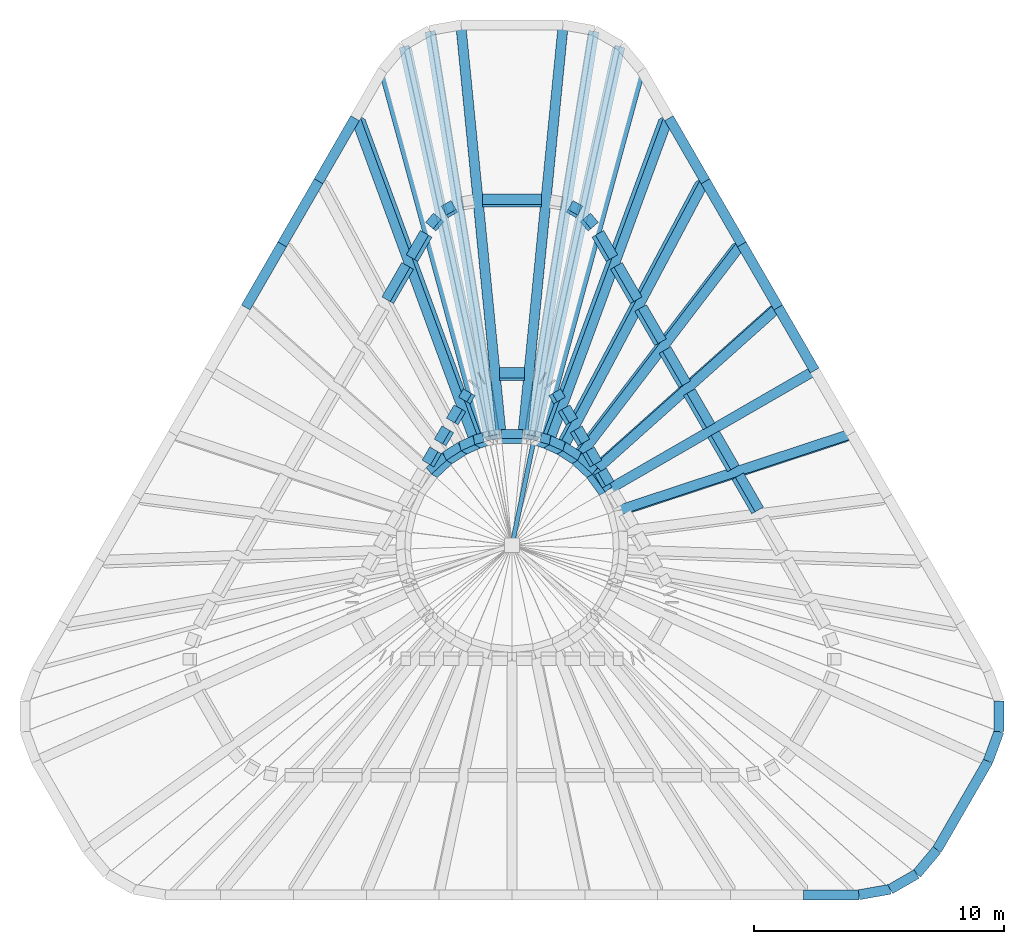
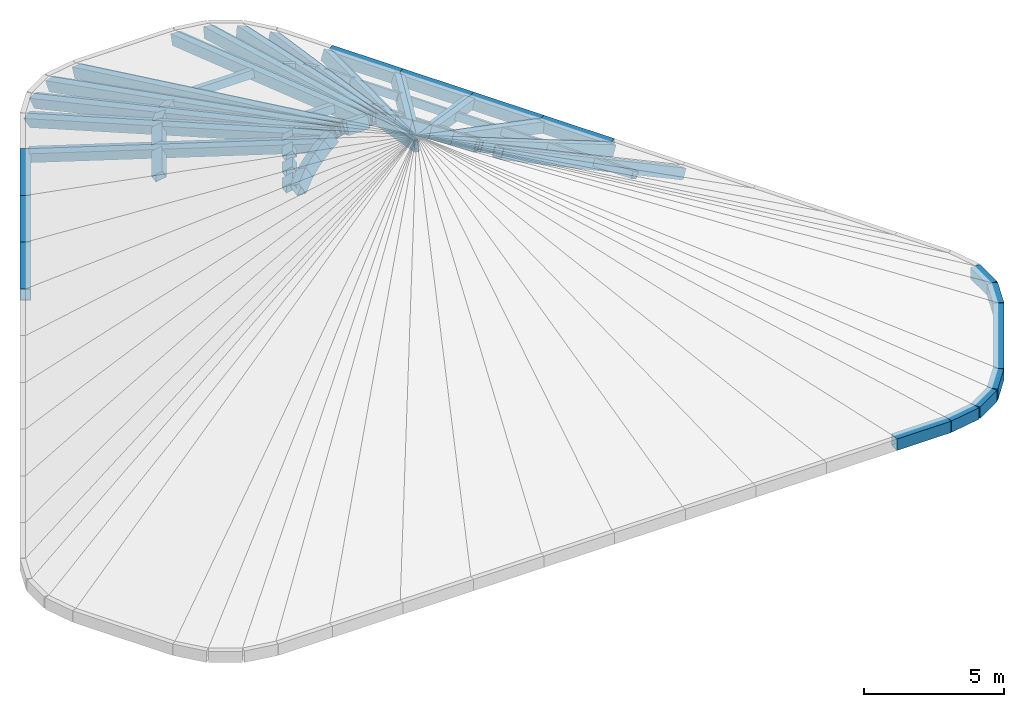
# One storey, part 3 of 5: 64 members.
"""IFC4 building model written with IfcOpenShell, lengths in metres."""

import ifcopenshell
import ifcopenshell.guid

model = None  # the IFC model being written
_history = None  # IfcOwnerHistory: only IFC2X3 demands one
_inside = {}  # id of a spatial element -> (the spatial element, [elements in it])
_under = {}  # id of a project, library or spatial element -> (it, [spatial elements below it])
_declared = {}  # id of a project -> (the project, [libraries it declares])
_typed = {}  # id of a type object -> (the type object, [elements of that type])
_made_of = {}  # id of a material, layer set ... -> (it, [elements and type objects made of it])


def new_model(schema):
    """Start an empty IFC model of exactly this schema.

    Asked for "IFC4X3", IfcOpenShell would pick the latest addendum, in which some entities
    have other attributes; the version numbers below select the first issue.
    IFC2X3 requires an IfcOwnerHistory on every rooted entity: one is made here for all.
    """
    global model, _history
    if schema == "IFC4X3":
        model = ifcopenshell.file(schema_version=(4, 3, 0, 0))
    else:
        model = ifcopenshell.file(schema=schema)
    _inside.clear()
    _under.clear()
    _declared.clear()
    _typed.clear()
    _made_of.clear()
    _history = None
    if model.schema == "IFC2X3":
        org = make("IfcOrganization", Name="unknown")
        user = make(
            "IfcPersonAndOrganization",
            ThePerson=make("IfcPerson", FamilyName="unknown"),
            TheOrganization=org,
        )
        app = make(
            "IfcApplication",
            ApplicationDeveloper=org,
            Version="unknown",
            ApplicationFullName="unknown",
            ApplicationIdentifier="unknown",
        )
        _history = make(
            "IfcOwnerHistory",
            OwningUser=user,
            OwningApplication=app,
            ChangeAction="ADDED",
            CreationDate=0,
        )
    return model


def make(cls, **values):
    """One entity of the class cls with the attributes given. An attribute that is None is left unset."""
    return model.create_entity(
        cls, **{name: value for name, value in values.items() if value is not None}
    )


def rooted(cls, **values):
    """An entity with a GlobalId (a new one), such as an element, a storey or a relation."""
    return make(cls, GlobalId=ifcopenshell.guid.new(), OwnerHistory=_history, **values)


def si_unit(unit_type, name, prefix=None):
    """IfcSIUnit, for example si_unit("LENGTHUNIT", "METRE", prefix="MILLI")."""
    return make("IfcSIUnit", UnitType=unit_type, Prefix=prefix, Name=name)


def assignment(units):
    """IfcUnitAssignment: the units of a project."""
    return None if units is None else make("IfcUnitAssignment", Units=units)


def point(xyz):
    """IfcCartesianPoint."""
    return None if xyz is None else make("IfcCartesianPoint", Coordinates=xyz)


def direction(xyz):
    """IfcDirection."""
    return None if xyz is None else make("IfcDirection", DirectionRatios=xyz)


def frame(location, z_axis=None, x_axis=None):
    """IfcAxis2Placement3D, a coordinate frame: its origin and axes. An axis left out is left unset."""
    return make(
        "IfcAxis2Placement3D",
        Location=point(location),
        Axis=direction(z_axis),
        RefDirection=direction(x_axis),
    )


def frame_2d(location, x_axis=None):
    """IfcAxis2Placement2D, a coordinate frame in the plane: its origin and x axis."""
    return make(
        "IfcAxis2Placement2D", Location=point(location), RefDirection=direction(x_axis)
    )


def origin():
    """The frame at (0, 0, 0) with its axes left unset."""
    return frame((0.0, 0.0, 0.0))


def origin_2d():
    """The frame at (0, 0) in the plane with its x axis left unset."""
    return frame_2d((0.0, 0.0))


def place(relative_to, where):
    """IfcLocalPlacement: puts the frame where relative to a parent placement (None: the world)."""
    return make(
        "IfcLocalPlacement", PlacementRelTo=relative_to, RelativePlacement=where
    )


def context(
    kind, dimensions, precision=None, world=None, true_north=None, identifier=None
):
    """IfcGeometricRepresentationContext, for example the 3D "Model" context."""
    return make(
        "IfcGeometricRepresentationContext",
        ContextIdentifier=identifier,
        ContextType=kind,
        CoordinateSpaceDimension=dimensions,
        Precision=precision,
        WorldCoordinateSystem=world,
        TrueNorth=true_north,
    )


def subcontext(parent, identifier, kind, view, scale=None):
    """IfcGeometricRepresentationSubContext, for example "Body" below "Model"."""
    return make(
        "IfcGeometricRepresentationSubContext",
        ContextIdentifier=identifier,
        ContextType=kind,
        ParentContext=parent,
        TargetScale=scale,
        TargetView=view,
    )


def project(units=None, contexts=None):
    """IfcProject with its units and contexts."""
    return rooted(
        "IfcProject",
        Name="project",
        RepresentationContexts=contexts,
        UnitsInContext=assignment(units),
    )


def spatial(cls, under=None, at=None, **own):
    """A site, building, storey or space (cls), placed at a placement, below another one or the project."""
    s = rooted(cls, ObjectPlacement=at, **own)
    if under is not None:
        _under.setdefault(under.id(), (under, []))[1].append(s)
    return s


def profile(cls, at=None, kind="AREA", **sizes):
    """A parametric profile (cls). Its sizes go by their IFC names, for example OverallWidth=200.0."""
    return make(cls, ProfileType=kind, Position=at, **sizes)


def hollow_rectangle(**sizes):
    """IfcRectangleHollowProfileDef."""
    return profile("IfcRectangleHollowProfileDef", **sizes)


def extrude(swept, where, along, depth):
    """IfcExtrudedAreaSolid: the profile swept, set in the frame where, extruded along a direction by depth."""
    return make(
        "IfcExtrudedAreaSolid",
        SweptArea=swept,
        Position=where,
        ExtrudedDirection=direction(along),
        Depth=depth,
    )


def shape(context_of_items, identifier, shape_type, items):
    """IfcShapeRepresentation: the items that make up one representation, for example the "Body"."""
    return make(
        "IfcShapeRepresentation",
        ContextOfItems=context_of_items,
        RepresentationIdentifier=identifier,
        RepresentationType=shape_type,
        Items=items,
    )


def material(Name=None, Category=None):
    """IfcMaterial."""
    return make("IfcMaterial", Name=Name, Category=Category)


def material_profile(
    of_material, cross_section, Name=None, Category=None, Priority=None
):
    """IfcMaterialProfile: a cross section and its material."""
    return make(
        "IfcMaterialProfile",
        Name=Name,
        Material=of_material,
        Profile=cross_section,
        Priority=Priority,
        Category=Category,
    )


def profile_set(profiles, Name=None, composite=None):
    """IfcMaterialProfileSet."""
    return make(
        "IfcMaterialProfileSet",
        Name=Name,
        MaterialProfiles=profiles,
        CompositeProfile=composite,
    )


def made_of(thing, what):
    """Note that an element or type object is made of a material, layer set ...; save() writes the relation."""
    if what is not None:
        _made_of.setdefault(what.id(), (what, []))[1].append(thing)
    return thing


def type_object(cls, material=None, **own):
    """A type object (cls), such as IfcWallType, which elements share."""
    return made_of(rooted(cls, **own), material)


def element(
    cls,
    number,
    at=None,
    inside=None,
    cuts=None,
    type_object=None,
    material=None,
    context=None,
    identifier="Body",
    shape_type=None,
    held_by="IfcProductDefinitionShape",
    body=None,
    shapes=None,
    **own,
):
    """One element of the class cls, such as IfcWall. Its Tag is "e" and its number.

    at: its placement. inside: the storey or other place that contains it. cuts: it is an
    opening in that element (IfcRelVoidsElement). A single representation is given by context,
    identifier, shape_type and body (its items); several are given by shapes. held_by: the class
    of the entity that holds the representations. save() writes the other relations.
    """
    e = rooted(cls, Tag="e%d" % number, ObjectPlacement=at, **own)
    if body is not None:
        shapes = [shape(context, identifier, shape_type, body)]
    if shapes is not None:
        e.Representation = make(held_by, Representations=shapes)
    if inside is not None:
        _inside.setdefault(inside.id(), (inside, []))[1].append(e)
    if cuts is not None:
        rooted(
            "IfcRelVoidsElement", RelatingBuildingElement=cuts, RelatedOpeningElement=e
        )
    if type_object is not None:
        _typed.setdefault(type_object.id(), (type_object, []))[1].append(e)
    return made_of(e, material)


def aggregate(whole, parts):
    """IfcRelAggregates: a whole, such as a stair, and the parts it consists of."""
    return rooted("IfcRelAggregates", RelatingObject=whole, RelatedObjects=parts)


def save(model, path):
    """Write the relations noted so far, then the file.

    IfcRelAggregates (storeys below a building ...), IfcRelContainedInSpatialStructure (elements
    in a storey), IfcRelDefinesByType, IfcRelAssociatesMaterial and IfcRelDeclares: one each for
    every whole, place, type object, material and project.
    """
    for whole, parts in _under.values():
        aggregate(whole, parts)
    for where, things in _inside.values():
        rooted(
            "IfcRelContainedInSpatialStructure",
            RelatedElements=things,
            RelatingStructure=where,
        )
    for kind, things in _typed.values():
        rooted("IfcRelDefinesByType", RelatedObjects=things, RelatingType=kind)
    for what, things in _made_of.values():
        rooted("IfcRelAssociatesMaterial", RelatedObjects=things, RelatingMaterial=what)
    for by, libraries in _declared.values():
        rooted("IfcRelDeclares", RelatingContext=by, RelatedDefinitions=libraries)
    model.write(path)


model = new_model("IFC4")

# Units and contexts
model_context = context("Model", 3, precision=1e-05, world=origin(), true_north=direction((0.0, 1.0)))
body_context = subcontext(model_context, "Body", "Model", "MODEL_VIEW")
ifc_project = project(units=[si_unit("LENGTHUNIT", "METRE"), si_unit("AREAUNIT", "SQUARE_METRE"), si_unit("VOLUMEUNIT", "CUBIC_METRE"), si_unit("PLANEANGLEUNIT", "RADIAN"), si_unit("MASSUNIT", "GRAM", prefix="KILO")], contexts=[model_context])

# Site, building, storey
site_placement = place(None, origin())
site = spatial("IfcSite", under=ifc_project, at=site_placement, CompositionType="ELEMENT")
building_placement = place(site_placement, origin())
building = spatial("IfcBuilding", under=site, at=building_placement, Name="Apuvela Tower Hotel", CompositionType="ELEMENT")
storey_placement = place(building_placement, frame((0.0, 0.0, 371.300048828125)))
storey = spatial("IfcBuildingStorey", under=building, at=storey_placement, Name="R-7 ROOF", CompositionType="ELEMENT", Elevation=371.300048828125)

# Members
ifc_material_1 = material(Name="Steel S355, dark grey paint system", Category="steel")
ifc_material_profile_1 = material_profile(ifc_material_1, hollow_rectangle(XDim=0.39990234375, YDim=0.449951171875, WallThickness=0.01611328125, at=origin_2d()), Name="HSS 450x400x16")
ifc_profile_set_1 = profile_set([ifc_material_profile_1], Name="Steel S355, dark grey paint system")
member_type_1 = type_object("IfcMemberType", Name="ENV-CROWN-HIP-450x400", PredefinedType="RAFTER", material=ifc_profile_set_1)
member_1_placement = place(storey_placement, frame((4.260498046875, 19.871826171875, -0.033447265625), z_axis=(-0.195639553025, -0.898283695291, 0.39346101213), x_axis=(0.938121866788, -0.28833235843, -0.191811923863)))
element("IfcMember", 1, at=member_1_placement, inside=storey, type_object=member_type_1, Name="Crown frame hip 1", PredefinedType="RAFTER", context=body_context, shape_type="SweptSolid", body=[
    extrude(hollow_rectangle(XDim=0.39990234375, YDim=0.449951171875, WallThickness=0.01611328125, at=origin_2d()), origin(), (0.0, 0.0, 1.0), 17.343505859375),
])
member_2_placement = place(storey_placement, frame((3.251708984375, 20.470703125, -0.037841796875), z_axis=(-0.145702079564, -0.910496853122, 0.386996620743), x_axis=(0.979881380583, -0.186740763926, -0.070429873456)))
element("IfcMember", 2, at=member_2_placement, inside=storey, type_object=member_type_1, Name="Crown frame hip 2", PredefinedType="RAFTER", context=body_context, shape_type="SweptSolid", body=[
    extrude(hollow_rectangle(XDim=0.39990234375, YDim=0.449951171875, WallThickness=0.01611328125, at=origin_2d()), origin(), (0.0, 0.0, 1.0), 17.729736328125),
])
for number, where, z_axis, x_axis, name in (
    (3, (2.03515625, 20.68896484375, -0.031982421875), (-0.090252973718, -0.918040894644, 0.386076827194), (0.995351011578, -0.096237178384, 0.003843077963), "Crown frame hip 3"),
    (4, (-2.03515625, 20.68896484375, -0.031982421875), (0.090252973718, -0.918040894644, 0.386076827194), (0.995351011578, 0.096237178384, -0.003843077963), "Crown frame hip 4"),
):
    element("IfcMember", number, at=place(storey_placement, frame(where, z_axis=z_axis, x_axis=x_axis)), inside=storey, type_object=member_type_1, Name=name, PredefinedType="RAFTER", context=body_context, shape_type="SweptSolid", body=[
        extrude(hollow_rectangle(XDim=0.39990234375, YDim=0.449951171875, WallThickness=0.01611328125, at=origin_2d()), origin(), (0.0, 0.0, 1.0), 17.785888671875),
    ])
member_3_placement = place(storey_placement, frame((-3.251708984375, 20.470703125, -0.037841796875), z_axis=(0.145702079564, -0.910496853122, 0.386996620743), x_axis=(0.979881380583, 0.186740763926, 0.070429873456)))
element("IfcMember", 5, at=member_3_placement, inside=storey, type_object=member_type_1, Name="Crown frame hip 5", PredefinedType="RAFTER", context=body_context, shape_type="SweptSolid", body=[
    extrude(hollow_rectangle(XDim=0.39990234375, YDim=0.449951171875, WallThickness=0.01611328125, at=origin_2d()), origin(), (0.0, 0.0, 1.0), 17.729736328125),
])
member_4_placement = place(storey_placement, frame((-4.260498046875, 19.871826171875, -0.033447265625), z_axis=(0.195639553025, -0.898283695291, 0.39346101213), x_axis=(0.938121866788, 0.28833235843, 0.191811923863)))
element("IfcMember", 6, at=member_4_placement, inside=storey, type_object=member_type_1, Name="Crown frame hip 6", PredefinedType="RAFTER", context=body_context, shape_type="SweptSolid", body=[
    extrude(hollow_rectangle(XDim=0.39990234375, YDim=0.449951171875, WallThickness=0.01611328125, at=origin_2d()), origin(), (0.0, 0.0, 1.0), 17.343505859375),
])
member_5_placement = place(storey_placement, frame((-5.03955078125, 18.9169921875, -0.014892578125), z_axis=(0.239715918486, -0.881860900496, 0.406026637798), x_axis=(0.878785686732, 0.374855391858, 0.295328887835)))
element("IfcMember", 7, at=member_5_placement, inside=storey, type_object=member_type_1, Name="Crown frame hip 7", PredefinedType="RAFTER", context=body_context, shape_type="SweptSolid", body=[
    extrude(hollow_rectangle(XDim=0.39990234375, YDim=0.449951171875, WallThickness=0.01611328125, at=origin_2d()), origin(), (0.0, 0.0, 1.0), 16.626220703125),
])
member_6_placement = place(storey_placement, frame((-6.143310546875, 17.0009765625, 0.001708984375), z_axis=(0.310933493393, -0.845874046041, 0.433379119156), x_axis=(0.831942886822, 0.46270582933, 0.306225976316)))
element("IfcMember", 8, at=member_6_placement, inside=storey, type_object=member_type_1, Name="Crown frame hip 8", PredefinedType="RAFTER", context=body_context, shape_type="SweptSolid", body=[
    extrude(hollow_rectangle(XDim=0.39990234375, YDim=0.449951171875, WallThickness=0.01611328125, at=origin_2d()), origin(), (0.0, 0.0, 1.0), 15.197265625),
])
member_7_placement = place(storey_placement, frame((13.425537109375, 4.3876953125, 0.001708984375), z_axis=(-0.809824541186, -0.266676807634, 0.522558793594), x_axis=(0.364679545298, -0.926545972047, 0.092311380252)))
element("IfcMember", 9, at=member_7_placement, inside=storey, type_object=member_type_1, Name="Crown frame hip 45", PredefinedType="RAFTER", context=body_context, shape_type="SweptSolid", body=[
    extrude(hollow_rectangle(XDim=0.39990234375, YDim=0.449951171875, WallThickness=0.01611328125, at=origin_2d()), origin(), (0.0, 0.0, 1.0), 11.466552734375),
])
member_8_placement = place(storey_placement, frame((11.96923828125, 6.910400390625, 0.001708984375), z_axis=(-0.734029650131, -0.423791081695, 0.530661466289), x_axis=(0.499998996204, -0.866025983326, 0.0)))
element("IfcMember", 10, at=member_8_placement, inside=storey, type_object=member_type_1, Name="Crown frame hip 46", PredefinedType="RAFTER", context=body_context, shape_type="SweptSolid", body=[
    extrude(hollow_rectangle(XDim=0.39990234375, YDim=0.449951171875, WallThickness=0.01611328125, at=origin_2d()), origin(), (0.0, 0.0, 1.0), 11.18017578125),
])
member_9_placement = place(storey_placement, frame((10.5126953125, 9.43310546875, 0.001708984375), z_axis=(-0.635866184858, -0.567989359232, 0.522553617109), x_axis=(0.62006934881, -0.779097264996, -0.092311723754)))
element("IfcMember", 11, at=member_9_placement, inside=storey, type_object=member_type_1, Name="Crown frame hip 47", PredefinedType="RAFTER", context=body_context, shape_type="SweptSolid", body=[
    extrude(hollow_rectangle(XDim=0.39990234375, YDim=0.449951171875, WallThickness=0.01611328125, at=origin_2d()), origin(), (0.0, 0.0, 1.0), 11.466552734375),
])
member_10_placement = place(storey_placement, frame((9.056396484375, 11.955810546875, 0.001708984375), z_axis=(-0.525545081832, -0.68808705041, 0.500338463462), x_axis=(0.715969401207, -0.675380646835, -0.176773296672)))
element("IfcMember", 12, at=member_10_placement, inside=storey, type_object=member_type_1, Name="Crown frame hip 48", PredefinedType="RAFTER", context=body_context, shape_type="SweptSolid", body=[
    extrude(hollow_rectangle(XDim=0.39990234375, YDim=0.449951171875, WallThickness=0.01611328125, at=origin_2d()), origin(), (0.0, 0.0, 1.0), 12.291015625),
])
member_11_placement = place(storey_placement, frame((7.599853515625, 14.478271484375, 0.001708984375), z_axis=(-0.414448932161, -0.779986735946, 0.468884606677), x_axis=(0.785517268423, -0.566761718264, -0.248482948548)))
element("IfcMember", 13, at=member_11_placement, inside=storey, type_object=member_type_1, Name="Crown frame hip 49", PredefinedType="RAFTER", context=body_context, shape_type="SweptSolid", body=[
    extrude(hollow_rectangle(XDim=0.39990234375, YDim=0.449951171875, WallThickness=0.01611328125, at=origin_2d()), origin(), (0.0, 0.0, 1.0), 13.56689453125),
])
member_12_placement = place(storey_placement, frame((6.143310546875, 17.0009765625, 0.001708984375), z_axis=(-0.310933493393, -0.845874046041, 0.433379119156), x_axis=(0.831942886822, -0.46270582933, -0.306225976316)))
element("IfcMember", 14, at=member_12_placement, inside=storey, type_object=member_type_1, Name="Crown frame hip 50", PredefinedType="RAFTER", context=body_context, shape_type="SweptSolid", body=[
    extrude(hollow_rectangle(XDim=0.39990234375, YDim=0.449951171875, WallThickness=0.01611328125, at=origin_2d()), origin(), (0.0, 0.0, 1.0), 15.197265625),
])
member_13_placement = place(storey_placement, frame((5.03955078125, 18.9169921875, -0.014892578125), z_axis=(-0.239715918486, -0.881860900496, 0.406026637798), x_axis=(0.878785686732, -0.374855391858, -0.295328887835)))
element("IfcMember", 15, at=member_13_placement, inside=storey, type_object=member_type_1, Name="Crown frame hip 51", PredefinedType="RAFTER", context=body_context, shape_type="SweptSolid", body=[
    extrude(hollow_rectangle(XDim=0.39990234375, YDim=0.449951171875, WallThickness=0.01611328125, at=origin_2d()), origin(), (0.0, 0.0, 1.0), 16.626220703125),
])
ifc_material_profile_2 = material_profile(ifc_material_1, hollow_rectangle(XDim=0.449951171875, YDim=0.300048828125, WallThickness=0.013916015625, at=origin_2d()), Name="HSS 450x300x14")
ifc_profile_set_2 = profile_set([ifc_material_profile_2], Name="Steel S355, dark grey paint system")
member_type_2 = type_object("IfcMemberType", Name="ENV-CROWN-PURLIN-450x300", PredefinedType="PURLIN", material=ifc_profile_set_2)
member_14_placement = place(storey_placement, frame((2.69873046875, 13.328369140625, 2.963134765625), z_axis=(-0.865979171045, 0.500080068905, 0.0), x_axis=(-0.456155628092, -0.78991604994, 0.409822738519)))
element("IfcMember", 16, at=member_14_placement, inside=storey, type_object=member_type_2, Name="Crown frame purlin 1.1", PredefinedType="PURLIN", context=body_context, shape_type="SweptSolid", body=[
    extrude(hollow_rectangle(XDim=0.449951171875, YDim=0.300048828125, WallThickness=0.013916015625, at=origin_2d()), origin(), (0.0, 0.0, 1.0), 0.453125),
])
member_15_placement = place(storey_placement, frame((1.18359375, 13.7841796875, 2.96044921875), z_axis=(-1.0, 0.0, 0.0), x_axis=(0.0, -0.921802946003, 0.387658778747)))
element("IfcMember", 17, at=member_15_placement, inside=storey, type_object=member_type_2, Name="Crown frame purlin 1.3", PredefinedType="PURLIN", context=body_context, shape_type="SweptSolid", body=[
    extrude(hollow_rectangle(XDim=0.449951171875, YDim=0.300048828125, WallThickness=0.013916015625, at=origin_2d()), origin(), (0.0, 0.0, 1.0), 2.3671875),
])
member_16_placement = place(storey_placement, frame((-2.306396484375, 13.554931640625, 2.963134765625), z_axis=(-0.865979171045, -0.500080068905, 0.0), x_axis=(0.456155628092, -0.78991604994, 0.409822738519)))
element("IfcMember", 18, at=member_16_placement, inside=storey, type_object=member_type_2, Name="Crown frame purlin 1.5", PredefinedType="PURLIN", context=body_context, shape_type="SweptSolid", body=[
    extrude(hollow_rectangle(XDim=0.449951171875, YDim=0.300048828125, WallThickness=0.013916015625, at=origin_2d()), origin(), (0.0, 0.0, 1.0), 0.453125),
])
member_17_placement = place(storey_placement, frame((-2.935791015625, 13.1123046875, 2.972900390625), z_axis=(-0.642555132876, -0.766239454228, 0.0), x_axis=(0.673932372277, -0.565148012972, 0.475839133564)))
element("IfcMember", 19, at=member_17_placement, inside=storey, type_object=member_type_2, Name="Crown frame purlin 1.6", PredefinedType="PURLIN", context=body_context, shape_type="SweptSolid", body=[
    extrude(hollow_rectangle(XDim=0.449951171875, YDim=0.300048828125, WallThickness=0.013916015625, at=origin_2d()), origin(), (0.0, 0.0, 1.0), 0.485595703125),
])
member_18_placement = place(storey_placement, frame((-3.433837890625, 12.4560546875, 2.98193359375), z_axis=(-0.499998569178, -0.866026229868, 0.0), x_axis=(0.734037545798, -0.423795157657, 0.53064728936)))
element("IfcMember", 20, at=member_18_placement, inside=storey, type_object=member_type_2, Name="Crown frame purlin 1.7", PredefinedType="PURLIN", context=body_context, shape_type="SweptSolid", body=[
    extrude(hollow_rectangle(XDim=0.449951171875, YDim=0.300048828125, WallThickness=0.013916015625, at=origin_2d()), origin(), (0.0, 0.0, 1.0), 1.12255859375),
])
member_19_placement = place(storey_placement, frame((-4.17529296875, 11.172119140625, 2.98193359375), z_axis=(-0.499989616998, -0.866031398331, 0.0), x_axis=(0.734041926549, -0.423787569854, 0.53064728936)))
element("IfcMember", 21, at=member_19_placement, inside=storey, type_object=member_type_2, Name="Crown frame purlin 1.8", PredefinedType="PURLIN", context=body_context, shape_type="SweptSolid", body=[
    extrude(hollow_rectangle(XDim=0.449951171875, YDim=0.300048828125, WallThickness=0.013916015625, at=origin_2d()), origin(), (0.0, 0.0, 1.0), 1.58203125),
])
for number, where, z_axis, x_axis, name in (
    (22, (9.821044921875, 1.393310546875, 2.98193359375), (-0.500056445075, 0.865992812752, 0.0), (-0.734009221693, -0.423844212847, 0.53064728936), "Crown frame purlin 1.44"),
    (23, (8.85009765625, 3.0751953125, 2.98193359375), (-0.500056445075, 0.865992812752, 0.0), (-0.734009221693, -0.423844212847, 0.53064728936), "Crown frame purlin 1.45"),
    (24, (7.879150390625, 4.7568359375, 2.98193359375), (-0.500056445075, 0.865992812752, 0.0), (-0.734009221693, -0.423844212847, 0.53064728936), "Crown frame purlin 1.46"),
    (25, (6.908203125, 6.438720703125, 2.98193359375), (-0.500056445075, 0.865992812752, 0.0), (-0.734009221693, -0.423844212847, 0.53064728936), "Crown frame purlin 1.47"),
    (26, (5.93701171875, 8.120361328125, 2.98193359375), (-0.499940686581, 0.866059645695, 0.0), (-0.73406586881, -0.423746096788, 0.53064728936), "Crown frame purlin 1.48"),
):
    element("IfcMember", number, at=place(storey_placement, frame(where, z_axis=z_axis, x_axis=x_axis)), inside=storey, type_object=member_type_2, Name=name, PredefinedType="PURLIN", context=body_context, shape_type="SweptSolid", body=[
        extrude(hollow_rectangle(XDim=0.449951171875, YDim=0.300048828125, WallThickness=0.013916015625, at=origin_2d()), origin(), (0.0, 0.0, 1.0), 1.581787109375),
    ])
member_20_placement = place(storey_placement, frame((4.96630859375, 9.802001953125, 2.98193359375), z_axis=(-0.499989616998, 0.866031398331, 0.0), x_axis=(-0.734041926549, -0.423787569854, 0.53064728936)))
element("IfcMember", 27, at=member_20_placement, inside=storey, type_object=member_type_2, Name="Crown frame purlin 1.49", PredefinedType="PURLIN", context=body_context, shape_type="SweptSolid", body=[
    extrude(hollow_rectangle(XDim=0.449951171875, YDim=0.300048828125, WallThickness=0.013916015625, at=origin_2d()), origin(), (0.0, 0.0, 1.0), 1.58203125),
])
member_21_placement = place(storey_placement, frame((3.9951171875, 11.48388671875, 2.98193359375), z_axis=(-0.499998569178, 0.866026229868, 0.0), x_axis=(-0.734037545798, -0.423795157657, 0.53064728936)))
element("IfcMember", 28, at=member_21_placement, inside=storey, type_object=member_type_2, Name="Crown frame purlin 1.50", PredefinedType="PURLIN", context=body_context, shape_type="SweptSolid", body=[
    extrude(hollow_rectangle(XDim=0.449951171875, YDim=0.300048828125, WallThickness=0.013916015625, at=origin_2d()), origin(), (0.0, 0.0, 1.0), 1.12255859375),
])
member_22_placement = place(storey_placement, frame((3.247802734375, 12.740234375, 2.972900390625), z_axis=(-0.642555132876, 0.766239454228, 0.0), x_axis=(-0.673932372277, -0.565148012972, 0.475839133564)))
element("IfcMember", 29, at=member_22_placement, inside=storey, type_object=member_type_2, Name="Crown frame purlin 1.51", PredefinedType="PURLIN", context=body_context, shape_type="SweptSolid", body=[
    extrude(hollow_rectangle(XDim=0.449951171875, YDim=0.300048828125, WallThickness=0.013916015625, at=origin_2d()), origin(), (0.0, 0.0, 1.0), 0.485595703125),
])
member_23_placement = place(storey_placement, frame((0.501708984375, 6.8486328125, 5.876953125), z_axis=(-1.0, 0.0, 0.0), x_axis=(0.0, -0.921802946003, 0.387658778747)))
element("IfcMember", 30, at=member_23_placement, inside=storey, type_object=member_type_2, Name="Crown frame purlin 2.3", PredefinedType="PURLIN", context=body_context, shape_type="SweptSolid", body=[
    extrude(hollow_rectangle(XDim=0.449951171875, YDim=0.300048828125, WallThickness=0.013916015625, at=origin_2d()), origin(), (0.0, 0.0, 1.0), 1.00341796875),
])
member_24_placement = place(storey_placement, frame((-1.7119140625, 6.12109375, 5.898681640625), z_axis=(-0.5002029028, -0.865908226102, 0.0), x_axis=(0.733937526662, -0.423968349351, 0.53064728936)))
element("IfcMember", 31, at=member_24_placement, inside=storey, type_object=member_type_2, Name="Crown frame purlin 2.7", PredefinedType="PURLIN", context=body_context, shape_type="SweptSolid", body=[
    extrude(hollow_rectangle(XDim=0.449951171875, YDim=0.300048828125, WallThickness=0.013916015625, at=origin_2d()), origin(), (0.0, 0.0, 1.0), 0.381103515625),
])
for number, where, z_axis, x_axis, name in (
    (32, (-2.08251953125, 5.479248046875, 5.898681640625), (-0.499964620392, -0.866045829247, 0.0), (0.73405415809, -0.423766382912, 0.53064728936), "Crown frame purlin 2.8"),
    (33, (-2.568115234375, 4.63818359375, 5.898681640625), (-0.499964620392, -0.866045829247, 0.0), (0.73405415809, -0.423766382912, 0.53064728936), "Crown frame purlin 2.9"),
):
    element("IfcMember", number, at=place(storey_placement, frame(where, z_axis=z_axis, x_axis=x_axis)), inside=storey, type_object=member_type_2, Name=name, PredefinedType="PURLIN", context=body_context, shape_type="SweptSolid", body=[
        extrude(hollow_rectangle(XDim=0.449951171875, YDim=0.300048828125, WallThickness=0.013916015625, at=origin_2d()), origin(), (0.0, 0.0, 1.0), 0.61083984375),
    ])
member_25_placement = place(storey_placement, frame((-3.053466796875, 3.797607421875, 5.898681640625), z_axis=(-0.499791624077, -0.866145676259, 0.0), x_axis=(0.734138787692, -0.423619752492, 0.53064728936)))
element("IfcMember", 34, at=member_25_placement, inside=storey, type_object=member_type_2, Name="Crown frame purlin 2.10", PredefinedType="PURLIN", context=body_context, shape_type="SweptSolid", body=[
    extrude(hollow_rectangle(XDim=0.449951171875, YDim=0.300048828125, WallThickness=0.013916015625, at=origin_2d()), origin(), (0.0, 0.0, 1.0), 0.611083984375),
])
member_26_placement = place(storey_placement, frame((3.844482421875, 2.427490234375, 5.898681640625), z_axis=(-0.499964620392, 0.866045829247, 0.0), x_axis=(-0.73405415809, -0.423766382912, 0.53064728936)))
element("IfcMember", 35, at=member_26_placement, inside=storey, type_object=member_type_2, Name="Crown frame purlin 2.46", PredefinedType="PURLIN", context=body_context, shape_type="SweptSolid", body=[
    extrude(hollow_rectangle(XDim=0.449951171875, YDim=0.300048828125, WallThickness=0.013916015625, at=origin_2d()), origin(), (0.0, 0.0, 1.0), 0.61083984375),
])
member_27_placement = place(storey_placement, frame((3.35888671875, 3.268310546875, 5.898681640625), z_axis=(-0.499791624077, 0.866145676259, 0.0), x_axis=(-0.734138787692, -0.423619752492, 0.53064728936)))
element("IfcMember", 36, at=member_27_placement, inside=storey, type_object=member_type_2, Name="Crown frame purlin 2.47", PredefinedType="PURLIN", context=body_context, shape_type="SweptSolid", body=[
    extrude(hollow_rectangle(XDim=0.449951171875, YDim=0.300048828125, WallThickness=0.013916015625, at=origin_2d()), origin(), (0.0, 0.0, 1.0), 0.611083984375),
])
for number, where, z_axis, x_axis, name in (
    (37, (2.87353515625, 4.109130859375, 5.898681640625), (-0.499964620392, 0.866045829247, 0.0), (-0.73405415809, -0.423766382912, 0.53064728936), "Crown frame purlin 2.48"),
    (38, (2.387939453125, 4.9501953125, 5.898681640625), (-0.499964620392, 0.866045829247, 0.0), (-0.73405415809, -0.423766382912, 0.53064728936), "Crown frame purlin 2.49"),
):
    element("IfcMember", number, at=place(storey_placement, frame(where, z_axis=z_axis, x_axis=x_axis)), inside=storey, type_object=member_type_2, Name=name, PredefinedType="PURLIN", context=body_context, shape_type="SweptSolid", body=[
        extrude(hollow_rectangle(XDim=0.449951171875, YDim=0.300048828125, WallThickness=0.013916015625, at=origin_2d()), origin(), (0.0, 0.0, 1.0), 0.61083984375),
    ])
member_28_placement = place(storey_placement, frame((1.902587890625, 5.791015625, 5.898681640625), z_axis=(-0.5002029028, 0.865908226102, 0.0), x_axis=(-0.733937526662, -0.423968349351, 0.53064728936)))
element("IfcMember", 39, at=member_28_placement, inside=storey, type_object=member_type_2, Name="Crown frame purlin 2.50", PredefinedType="PURLIN", context=body_context, shape_type="SweptSolid", body=[
    extrude(hollow_rectangle(XDim=0.449951171875, YDim=0.300048828125, WallThickness=0.013916015625, at=origin_2d()), origin(), (0.0, 0.0, 1.0), 0.381103515625),
])
ifc_material_2 = material(Name="Steel S355, black paint system", Category="steel")
ifc_material_profile_3 = material_profile(ifc_material_2, hollow_rectangle(XDim=0.39990234375, YDim=0.5, WallThickness=0.01611328125, at=origin_2d()), Name="HSS 500x400x16")
ifc_profile_set_3 = profile_set([ifc_material_profile_3], Name="Steel S355, black paint system")
member_type_3 = type_object("IfcMemberType", Name="ENV-CROWN-RING-500x400", PredefinedType="STRINGER", material=ifc_profile_set_3)
member_29_placement = place(storey_placement, frame((-6.27783203125, 17.07861328125, 0.0), z_axis=(-0.500015065024, -0.866016705814, 0.0), x_axis=(0.866016705814, -0.500015065024, 0.0)))
element("IfcMember", 40, at=member_29_placement, inside=storey, type_object=member_type_3, Name="Crown frame ring beam 7.8", PredefinedType="STRINGER", context=body_context, shape_type="SweptSolid", body=[
    extrude(hollow_rectangle(XDim=0.39990234375, YDim=0.5, WallThickness=0.01611328125, at=origin_2d()), origin(), (0.0, 0.0, 1.0), 2.9130859375),
])
for number, where, z_axis, x_axis, name in (
    (41, (-7.734375, 14.555908203125, 0.0), (-0.500051359076, -0.865995749577, 0.0), (0.865995749577, -0.500051359076, 0.0), "Crown frame ring beam 7.9"),
    (42, (-9.19091796875, 12.033447265625, 0.0), (-0.499952204256, -0.866052996912, 0.0), (0.866052996912, -0.499952204256, 0.0), "Crown frame ring beam 7.10"),
):
    element("IfcMember", number, at=place(storey_placement, frame(where, z_axis=z_axis, x_axis=x_axis)), inside=storey, type_object=member_type_3, Name=name, PredefinedType="STRINGER", context=body_context, shape_type="SweptSolid", body=[
        extrude(hollow_rectangle(XDim=0.39990234375, YDim=0.5, WallThickness=0.01611328125, at=origin_2d()), origin(), (0.0, 0.0, 1.0), 2.912841796875),
    ])
member_30_placement = place(storey_placement, frame((11.651611328125, -13.976318359375, 0.0), z_axis=(1.0, 0.0, 0.0), x_axis=(0.0, 1.0, 0.0)))
element("IfcMember", 43, at=member_30_placement, inside=storey, type_object=member_type_3, Name="Crown frame ring beam 7.33", PredefinedType="STRINGER", context=body_context, shape_type="SweptSolid", body=[
    extrude(hollow_rectangle(XDim=0.39990234375, YDim=0.5, WallThickness=0.01611328125, at=origin_2d()), origin(), (0.0, 0.0, 1.0), 2.223876953125),
])
member_31_placement = place(storey_placement, frame((13.87548828125, -13.976318359375, 0.0), z_axis=(0.984783558818, 0.173785333909, 0.0), x_axis=(-0.173785333909, 0.984783558818, 0.0)))
element("IfcMember", 44, at=member_31_placement, inside=storey, type_object=member_type_3, Name="Crown frame ring beam 7.34", PredefinedType="STRINGER", context=body_context, shape_type="SweptSolid", body=[
    extrude(hollow_rectangle(XDim=0.39990234375, YDim=0.5, WallThickness=0.01611328125, at=origin_2d()), origin(), (0.0, 0.0, 1.0), 1.2685546875),
])
member_32_placement = place(storey_placement, frame((15.124755859375, -13.755859375, 0.0), z_axis=(0.866078909804, 0.499907313403, 0.0), x_axis=(-0.499907313403, 0.866078909804, 0.0)))
element("IfcMember", 45, at=member_32_placement, inside=storey, type_object=member_type_3, Name="Crown frame ring beam 7.35", PredefinedType="STRINGER", context=body_context, shape_type="SweptSolid", body=[
    extrude(hollow_rectangle(XDim=0.39990234375, YDim=0.5, WallThickness=0.01611328125, at=origin_2d()), origin(), (0.0, 0.0, 1.0), 1.219482421875),
])
member_33_placement = place(storey_placement, frame((16.180908203125, -13.146240234375, 0.0), z_axis=(0.642717965607, 0.766102876046, 0.0), x_axis=(-0.766102876046, 0.642717965607, 0.0)))
element("IfcMember", 46, at=member_33_placement, inside=storey, type_object=member_type_3, Name="Crown frame ring beam 7.36", PredefinedType="STRINGER", context=body_context, shape_type="SweptSolid", body=[
    extrude(hollow_rectangle(XDim=0.39990234375, YDim=0.5, WallThickness=0.01611328125, at=origin_2d()), origin(), (0.0, 0.0, 1.0), 1.268310546875),
])
member_34_placement = place(storey_placement, frame((16.99609375, -12.174560546875, 0.0), z_axis=(0.500003144135, 0.86602358851, 0.0), x_axis=(-0.86602358851, 0.500003144135, 0.0)))
element("IfcMember", 47, at=member_34_placement, inside=storey, type_object=member_type_3, Name="Crown frame ring beam 7.37", PredefinedType="STRINGER", context=body_context, shape_type="SweptSolid", body=[
    extrude(hollow_rectangle(XDim=0.39990234375, YDim=0.5, WallThickness=0.01611328125, at=origin_2d()), origin(), (0.0, 0.0, 1.0), 4.0908203125),
])
member_35_placement = place(storey_placement, frame((19.04150390625, -8.6318359375, 0.0), z_axis=(0.34203668354, 0.939686600475, 0.0), x_axis=(-0.939686600475, 0.34203668354, 0.0)))
element("IfcMember", 48, at=member_35_placement, inside=storey, type_object=member_type_3, Name="Crown frame ring beam 7.38", PredefinedType="STRINGER", context=body_context, shape_type="SweptSolid", body=[
    extrude(hollow_rectangle(XDim=0.39990234375, YDim=0.5, WallThickness=0.01611328125, at=origin_2d()), origin(), (0.0, 0.0, 1.0), 1.268310546875),
])
member_36_placement = place(storey_placement, frame((19.475341796875, -7.43994140625, 0.0), z_axis=(0.0, 1.0, 0.0), x_axis=(-1.0, 0.0, 0.0)))
element("IfcMember", 49, at=member_36_placement, inside=storey, type_object=member_type_3, Name="Crown frame ring beam 7.39", PredefinedType="STRINGER", context=body_context, shape_type="SweptSolid", body=[
    extrude(hollow_rectangle(XDim=0.39990234375, YDim=0.5, WallThickness=0.01611328125, at=origin_2d()), origin(), (0.0, 0.0, 1.0), 1.219482421875),
])
member_37_placement = place(storey_placement, frame((12.103759765625, 6.988037109375, 0.0), z_axis=(-0.500015065024, 0.866016705814, 0.0), x_axis=(-0.866016705814, -0.500015065024, 0.0)))
element("IfcMember", 50, at=member_37_placement, inside=storey, type_object=member_type_3, Name="Crown frame ring beam 7.46", PredefinedType="STRINGER", context=body_context, shape_type="SweptSolid", body=[
    extrude(hollow_rectangle(XDim=0.39990234375, YDim=0.5, WallThickness=0.01611328125, at=origin_2d()), origin(), (0.0, 0.0, 1.0), 2.9130859375),
])
for number, where, z_axis, x_axis, name in (
    (51, (10.647216796875, 9.5107421875, 0.0), (-0.499952204256, 0.866052996912, 0.0), (-0.866052996912, -0.499952204256, 0.0), "Crown frame ring beam 7.47"),
    (52, (9.19091796875, 12.033447265625, 0.0), (-0.500051359076, 0.865995749577, 0.0), (-0.865995749577, -0.500051359076, 0.0), "Crown frame ring beam 7.48"),
):
    element("IfcMember", number, at=place(storey_placement, frame(where, z_axis=z_axis, x_axis=x_axis)), inside=storey, type_object=member_type_3, Name=name, PredefinedType="STRINGER", context=body_context, shape_type="SweptSolid", body=[
        extrude(hollow_rectangle(XDim=0.39990234375, YDim=0.5, WallThickness=0.01611328125, at=origin_2d()), origin(), (0.0, 0.0, 1.0), 2.912841796875),
    ])
member_38_placement = place(storey_placement, frame((7.734375, 14.555908203125, 0.0), z_axis=(-0.500015065024, 0.866016705814, 0.0), x_axis=(-0.866016705814, -0.500015065024, 0.0)))
element("IfcMember", 53, at=member_38_placement, inside=storey, type_object=member_type_3, Name="Crown frame ring beam 7.49", PredefinedType="STRINGER", context=body_context, shape_type="SweptSolid", body=[
    extrude(hollow_rectangle(XDim=0.39990234375, YDim=0.5, WallThickness=0.01611328125, at=origin_2d()), origin(), (0.0, 0.0, 1.0), 2.9130859375),
])
member_39_placement = place(storey_placement, frame((0.440185546875, 4.352783203125, 6.818115234375), z_axis=(-1.0, 0.0, 0.0), x_axis=(0.0, -0.921802946003, 0.387658778747)))
element("IfcMember", 54, at=member_39_placement, inside=storey, type_object=member_type_3, Name="Crown apex ring beam 3", PredefinedType="STRINGER", context=body_context, shape_type="SweptSolid", body=[
    extrude(hollow_rectangle(XDim=0.39990234375, YDim=0.5, WallThickness=0.01611328125, at=origin_2d()), origin(), (0.0, 0.0, 1.0), 0.88037109375),
])
member_40_placement = place(storey_placement, frame((-1.0341796875, 4.258056640625, 6.731201171875), z_axis=(-0.878106498807, -0.279842464538, -0.388094282095), x_axis=(0.134164713168, -0.922594006934, 0.361690652506)))
element("IfcMember", 55, at=member_40_placement, inside=storey, type_object=member_type_3, Name="Crown apex ring beam 7", PredefinedType="STRINGER", context=body_context, shape_type="SweptSolid", body=[
    extrude(hollow_rectangle(XDim=0.39990234375, YDim=0.5, WallThickness=0.01611328125, at=origin_2d()), origin(), (0.0, 0.0, 1.0), 0.424072265625),
])
member_41_placement = place(storey_placement, frame((-1.406494140625, 4.139404296875, 6.566650390625), z_axis=(-0.856955932661, -0.383197762028, -0.344653455887), x_axis=(0.233375626195, -0.884750771579, 0.403425196646)))
element("IfcMember", 56, at=member_41_placement, inside=storey, type_object=member_type_3, Name="Crown apex ring beam 8", PredefinedType="STRINGER", context=body_context, shape_type="SweptSolid", body=[
    extrude(hollow_rectangle(XDim=0.39990234375, YDim=0.5, WallThickness=0.01611328125, at=origin_2d()), origin(), (0.0, 0.0, 1.0), 0.65234375),
])
member_42_placement = place(storey_placement, frame((-1.965576171875, 3.889404296875, 6.341796875), z_axis=(-0.80905041255, -0.518760957713, -0.276268888413), x_axis=(0.366374820495, -0.812692728329, 0.453100452691)))
element("IfcMember", 57, at=member_42_placement, inside=storey, type_object=member_type_3, Name="Crown apex ring beam 9", PredefinedType="STRINGER", context=body_context, shape_type="SweptSolid", body=[
    extrude(hollow_rectangle(XDim=0.39990234375, YDim=0.5, WallThickness=0.01611328125, at=origin_2d()), origin(), (0.0, 0.0, 1.0), 0.76611328125),
])
member_43_placement = place(storey_placement, frame((-2.58544921875, 3.491943359375, 6.130126953125), z_axis=(-0.721449815426, -0.668144883793, -0.181913655571), x_axis=(0.518054367414, -0.695098020783, 0.498456030063)))
element("IfcMember", 58, at=member_43_placement, inside=storey, type_object=member_type_3, Name="Crown apex ring beam 10", PredefinedType="STRINGER", context=body_context, shape_type="SweptSolid", body=[
    extrude(hollow_rectangle(XDim=0.39990234375, YDim=0.5, WallThickness=0.01611328125, at=origin_2d()), origin(), (0.0, 0.0, 1.0), 0.86572265625),
])
member_44_placement = place(storey_placement, frame((3.751220703125, 2.165771484375, 5.913330078125), z_axis=(-0.585123242698, 0.808404371847, 0.064133941351), x_axis=(-0.668175597154, -0.525415858478, 0.526763274183)))
element("IfcMember", 59, at=member_44_placement, inside=storey, type_object=member_type_3, Name="Crown apex ring beam 46", PredefinedType="STRINGER", context=body_context, shape_type="SweptSolid", body=[
    extrude(hollow_rectangle(XDim=0.39990234375, YDim=0.5, WallThickness=0.01611328125, at=origin_2d()), origin(), (0.0, 0.0, 1.0), 0.925048828125),
])
member_45_placement = place(storey_placement, frame((3.2099609375, 2.91357421875, 5.97265625), z_axis=(-0.721449815426, 0.668144883793, 0.181913655571), x_axis=(-0.518054367414, -0.695098020783, 0.498456030063)))
element("IfcMember", 60, at=member_45_placement, inside=storey, type_object=member_type_3, Name="Crown apex ring beam 47", PredefinedType="STRINGER", context=body_context, shape_type="SweptSolid", body=[
    extrude(hollow_rectangle(XDim=0.39990234375, YDim=0.5, WallThickness=0.01611328125, at=origin_2d()), origin(), (0.0, 0.0, 1.0), 0.86572265625),
])
member_46_placement = place(storey_placement, frame((2.58544921875, 3.491943359375, 6.130126953125), z_axis=(-0.80905041255, 0.518760957713, 0.276268888413), x_axis=(-0.366374820495, -0.812692728329, 0.453100452691)))
element("IfcMember", 61, at=member_46_placement, inside=storey, type_object=member_type_3, Name="Crown apex ring beam 48", PredefinedType="STRINGER", context=body_context, shape_type="SweptSolid", body=[
    extrude(hollow_rectangle(XDim=0.39990234375, YDim=0.5, WallThickness=0.01611328125, at=origin_2d()), origin(), (0.0, 0.0, 1.0), 0.76611328125),
])
member_47_placement = place(storey_placement, frame((1.965576171875, 3.889404296875, 6.341796875), z_axis=(-0.856955932661, 0.383197762028, 0.344653455887), x_axis=(-0.233375626195, -0.884750771579, 0.403425196646)))
element("IfcMember", 62, at=member_47_placement, inside=storey, type_object=member_type_3, Name="Crown apex ring beam 49", PredefinedType="STRINGER", context=body_context, shape_type="SweptSolid", body=[
    extrude(hollow_rectangle(XDim=0.39990234375, YDim=0.5, WallThickness=0.01611328125, at=origin_2d()), origin(), (0.0, 0.0, 1.0), 0.65234375),
])
member_48_placement = place(storey_placement, frame((1.406494140625, 4.139404296875, 6.566650390625), z_axis=(-0.878106498807, 0.279842464538, 0.388094282095), x_axis=(-0.134164713168, -0.922594006934, 0.361690652506)))
element("IfcMember", 63, at=member_48_placement, inside=storey, type_object=member_type_3, Name="Crown apex ring beam 50", PredefinedType="STRINGER", context=body_context, shape_type="SweptSolid", body=[
    extrude(hollow_rectangle(XDim=0.39990234375, YDim=0.5, WallThickness=0.01611328125, at=origin_2d()), origin(), (0.0, 0.0, 1.0), 0.424072265625),
])
ifc_material_profile_4 = material_profile(ifc_material_1, hollow_rectangle(XDim=0.179931640625, YDim=0.449951171875, WallThickness=0.013916015625, at=origin_2d()), Name="HSS 450x180x14")
ifc_profile_set_4 = profile_set([ifc_material_profile_4], Name="Steel S355, dark grey paint system")
member_type_4 = type_object("IfcMemberType", Name="ENV-CROWN-STRUT-180x450", PredefinedType="BRACE", material=ifc_profile_set_4)
member_49_placement = place(storey_placement, frame((0.891357421875, 4.2822265625, 6.779541015625), z_axis=(-0.189196305867, -0.908929938348, 0.371552318013), x_axis=(0.979015696506, -0.20378485222, 0.0)))
element("IfcMember", 64, at=member_49_placement, inside=storey, type_object=member_type_4, Name="Crown apex strut 1", PredefinedType="BRACE", context=body_context, shape_type="SweptSolid", body=[
    extrude(hollow_rectangle(XDim=0.179931640625, YDim=0.449951171875, WallThickness=0.013916015625, at=origin_2d()), origin(), (0.0, 0.0, 1.0), 4.711181640625),
])

save(model, "model.ifc")
